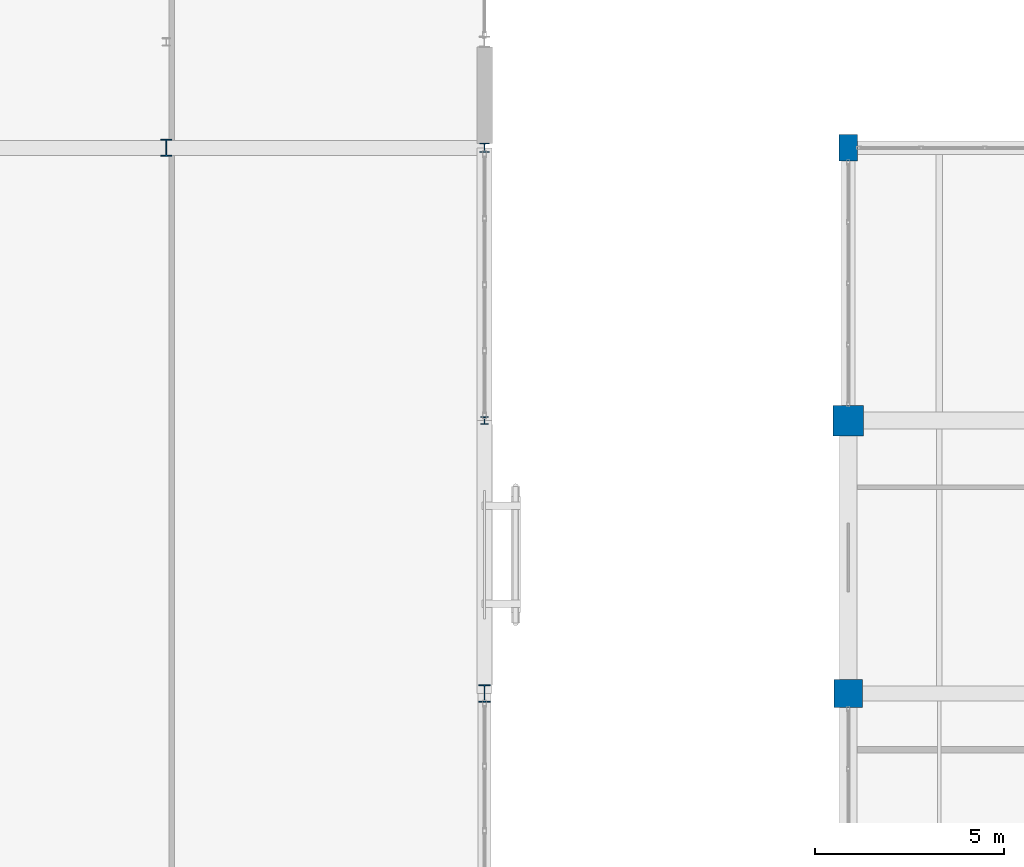
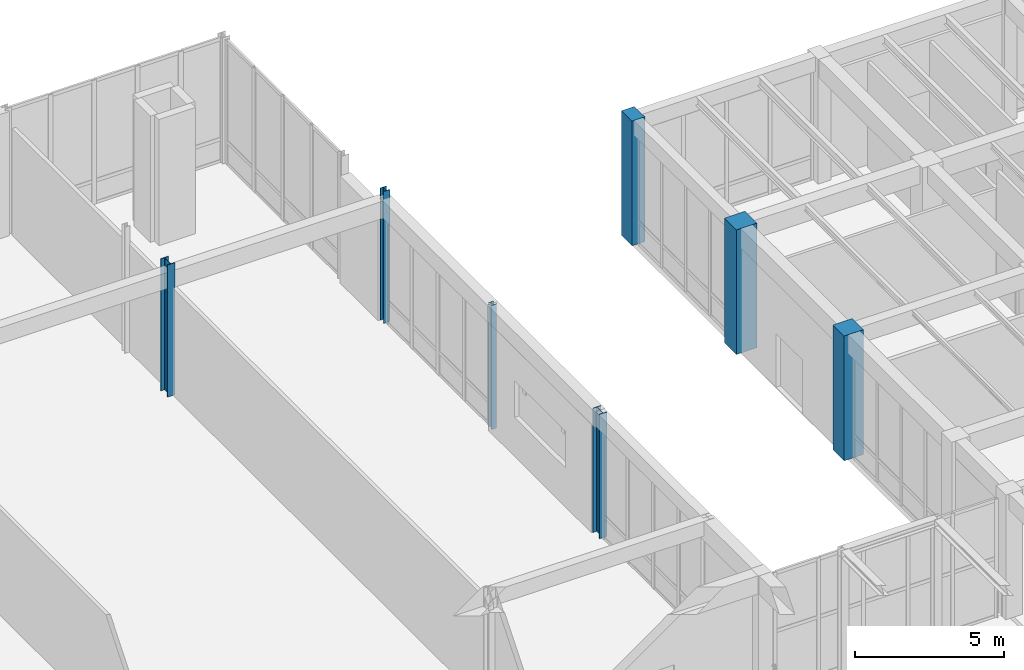
# One storey, part 14 of 169: 7 columns.
"""IFC4 building model written with IfcOpenShell, lengths in metres."""

from ifc_helpers import new_model, si_unit, direction, frame, origin, origin_2d, place, context, subcontext, project, spatial, rectangle, i_section, extrude, material, material_profile, profile_set, type_object, element, save


model = new_model("IFC4")

# Units and contexts
model_context = context("Model", 3, precision=1e-05, world=origin(), true_north=direction((0.0, 1.0)))
body_context = subcontext(model_context, "Body", "Model", "MODEL_VIEW")
ifc_project = project(units=[si_unit("LENGTHUNIT", "METRE"), si_unit("AREAUNIT", "SQUARE_METRE"), si_unit("VOLUMEUNIT", "CUBIC_METRE"), si_unit("PLANEANGLEUNIT", "RADIAN"), si_unit("MASSUNIT", "GRAM", prefix="KILO")], contexts=[model_context])

# Site, building, storey
site_placement = place(None, origin())
site = spatial("IfcSite", under=ifc_project, at=site_placement, CompositionType="ELEMENT")
building_placement = place(site_placement, origin())
building = spatial("IfcBuilding", under=site, at=building_placement, Name="Mazaris Harbour Polytechnic", CompositionType="ELEMENT")
storey_placement = place(building_placement, origin())
storey = spatial("IfcBuildingStorey", under=building, at=storey_placement, Name="L00", CompositionType="ELEMENT", Elevation=0.0)

# Columns
ifc_material_1 = material(Name="Concrete C40/50", Category="concrete")
ifc_material_profile_1 = material_profile(ifc_material_1, rectangle(XDim=0.5, YDim=0.699951171875, at=origin_2d()), Name="RECT500x700")
ifc_profile_set_1 = profile_set([ifc_material_profile_1], Name="Concrete C40/50")
column_type_1 = type_object("IfcColumnType", Name="RC Column 500x700 Exterior", PredefinedType="COLUMN", material=ifc_profile_set_1)
column_1_placement = place(storey_placement, frame((122.39990234375, 108.0, 0.0), z_axis=(0.0, 0.0, 1.0), x_axis=(1.0, 0.0, 0.0)))
element("IfcColumn", 1, at=column_1_placement, inside=storey, type_object=column_type_1, Name="V5 L00 Column 1187", PredefinedType="COLUMN", context=body_context, shape_type="SweptSolid", body=[
    extrude(rectangle(XDim=0.5, YDim=0.699951171875, at=origin_2d()), origin(), (0.0, 0.0, 1.0), 5.10009765625),
])
ifc_material_2 = material(Name="Concrete C40/50", Category="concrete")
ifc_material_profile_2 = material_profile(ifc_material_2, rectangle(XDim=0.75, YDim=0.75, at=origin_2d()), Name="RECT750x750")
ifc_profile_set_2 = profile_set([ifc_material_profile_2], Name="Concrete C40/50")
column_type_2 = type_object("IfcColumnType", Name="RC Column 750x750 Exterior", PredefinedType="COLUMN", material=ifc_profile_set_2)
column_2_placement = place(storey_placement, frame((122.39990234375, 93.60009765625, 0.0), z_axis=(0.0, 0.0, 1.0), x_axis=(1.0, 0.0, 0.0)))
element("IfcColumn", 2, at=column_2_placement, inside=storey, type_object=column_type_2, Name="V5 L00 Column 1185", PredefinedType="COLUMN", context=body_context, shape_type="SweptSolid", body=[
    extrude(rectangle(XDim=0.75, YDim=0.75, at=origin_2d()), origin(), (0.0, 0.0, 1.0), 5.10009765625),
])
ifc_material_3 = material(Name="Concrete C40/50", Category="concrete")
ifc_material_profile_3 = material_profile(ifc_material_3, rectangle(XDim=0.800048828125, YDim=0.800048828125, at=origin_2d()), Name="RECT800x800")
ifc_profile_set_3 = profile_set([ifc_material_profile_3], Name="Concrete C40/50")
column_type_3 = type_object("IfcColumnType", Name="RC Column 800x800 Exterior", PredefinedType="COLUMN", material=ifc_profile_set_3)
column_3_placement = place(storey_placement, frame((122.39990234375, 100.800048828125, 0.0), z_axis=(0.0, 0.0, 1.0), x_axis=(1.0, 0.0, 0.0)))
element("IfcColumn", 3, at=column_3_placement, inside=storey, type_object=column_type_3, Name="V5 L00 Column 1186", PredefinedType="COLUMN", context=body_context, shape_type="SweptSolid", body=[
    extrude(rectangle(XDim=0.800048828125, YDim=0.800048828125, at=origin_2d()), origin(), (0.0, 0.0, 1.0), 5.10009765625),
])
ifc_material_4 = material(Name="Steel S355", Category="steel")
ifc_material_profile_4 = material_profile(ifc_material_4, i_section(OverallWidth=0.199951171875, OverallDepth=0.199951171875, WebThickness=0.009033203125, FlangeThickness=0.014892578125, FilletRadius=0.01806640625, at=origin_2d()), Name="HEB 200")
ifc_profile_set_4 = profile_set([ifc_material_profile_4], Name="Steel S355")
column_type_4 = type_object("IfcColumnType", Name="Steel Column HEB200 Exterior", PredefinedType="COLUMN", material=ifc_profile_set_4)
column_4_placement = place(storey_placement, frame((112.800048828125, 100.800048828125, 0.0), z_axis=(0.0, 0.0, 1.0), x_axis=(1.0, 0.0, 0.0)))
element("IfcColumn", 4, at=column_4_placement, inside=storey, type_object=column_type_4, Name="V1 L00 Column 113", PredefinedType="COLUMN", context=body_context, shape_type="SweptSolid", body=[
    extrude(i_section(OverallWidth=0.199951171875, OverallDepth=0.199951171875, WebThickness=0.009033203125, FlangeThickness=0.014892578125, FilletRadius=0.01806640625, at=origin_2d()), origin(), (0.0, 0.0, 1.0), 5.080078125),
])
ifc_material_5 = material(Name="Steel S355", Category="steel")
ifc_material_profile_5 = material_profile(ifc_material_5, i_section(OverallWidth=0.239990234375, OverallDepth=0.239990234375, WebThickness=0.010009765625, FlangeThickness=0.01708984375, FilletRadius=0.02099609375, at=origin_2d()), Name="HEB 240")
ifc_profile_set_5 = profile_set([ifc_material_profile_5], Name="Steel S355")
column_type_5 = type_object("IfcColumnType", Name="Steel Column HEB240", PredefinedType="COLUMN", material=ifc_profile_set_5)
column_5_placement = place(storey_placement, frame((112.800048828125, 108.0, 0.0), z_axis=(0.0, 0.0, 1.0), x_axis=(1.0, 0.0, 0.0)))
element("IfcColumn", 5, at=column_5_placement, inside=storey, type_object=column_type_5, Name="V1 L00 Column 114", PredefinedType="COLUMN", context=body_context, shape_type="SweptSolid", body=[
    extrude(i_section(OverallWidth=0.239990234375, OverallDepth=0.239990234375, WebThickness=0.010009765625, FlangeThickness=0.01708984375, FilletRadius=0.02099609375, at=origin_2d()), origin(), (0.0, 0.0, 1.0), 5.39990234375),
])
ifc_material_6 = material(Name="Steel S355", Category="steel")
ifc_material_profile_6 = material_profile(ifc_material_6, i_section(OverallWidth=0.300048828125, OverallDepth=0.449951171875, WebThickness=0.013916015625, FlangeThickness=0.02587890625, FilletRadius=0.027099609375, at=origin_2d()), Name="HEB 450")
ifc_profile_set_6 = profile_set([ifc_material_profile_6], Name="Steel S355")
column_type_6 = type_object("IfcColumnType", Name="Steel Column HEB450", PredefinedType="COLUMN", material=ifc_profile_set_6)
column_6_placement = place(storey_placement, frame((104.39990234375, 108.0, 0.0), z_axis=(0.0, 0.0, 1.0), x_axis=(1.0, 0.0, 0.0)))
element("IfcColumn", 6, at=column_6_placement, inside=storey, type_object=column_type_6, Name="V1 L00 Column 106", PredefinedType="COLUMN", context=body_context, shape_type="SweptSolid", body=[
    extrude(i_section(OverallWidth=0.300048828125, OverallDepth=0.449951171875, WebThickness=0.013916015625, FlangeThickness=0.02587890625, FilletRadius=0.027099609375, at=origin_2d()), origin(), (0.0, 0.0, 1.0), 5.39990234375),
])
ifc_material_7 = material(Name="Steel S355", Category="steel")
ifc_material_profile_7 = material_profile(ifc_material_7, i_section(OverallWidth=0.300048828125, OverallDepth=0.449951171875, WebThickness=0.013916015625, FlangeThickness=0.02587890625, FilletRadius=0.027099609375, at=origin_2d()), Name="HEB 450")
ifc_profile_set_7 = profile_set([ifc_material_profile_7], Name="Steel S355")
column_type_7 = type_object("IfcColumnType", Name="Steel Column HEB450 Exterior", PredefinedType="COLUMN", material=ifc_profile_set_7)
column_7_placement = place(storey_placement, frame((112.800048828125, 93.60009765625, 0.0), z_axis=(0.0, 0.0, 1.0), x_axis=(1.0, 0.0, 0.0)))
element("IfcColumn", 7, at=column_7_placement, inside=storey, type_object=column_type_7, Name="V1 L00 Column 112", PredefinedType="COLUMN", context=body_context, shape_type="SweptSolid", body=[
    extrude(i_section(OverallWidth=0.300048828125, OverallDepth=0.449951171875, WebThickness=0.013916015625, FlangeThickness=0.02587890625, FilletRadius=0.027099609375, at=origin_2d()), origin(), (0.0, 0.0, 1.0), 5.080078125),
])

save(model, "model.ifc")
